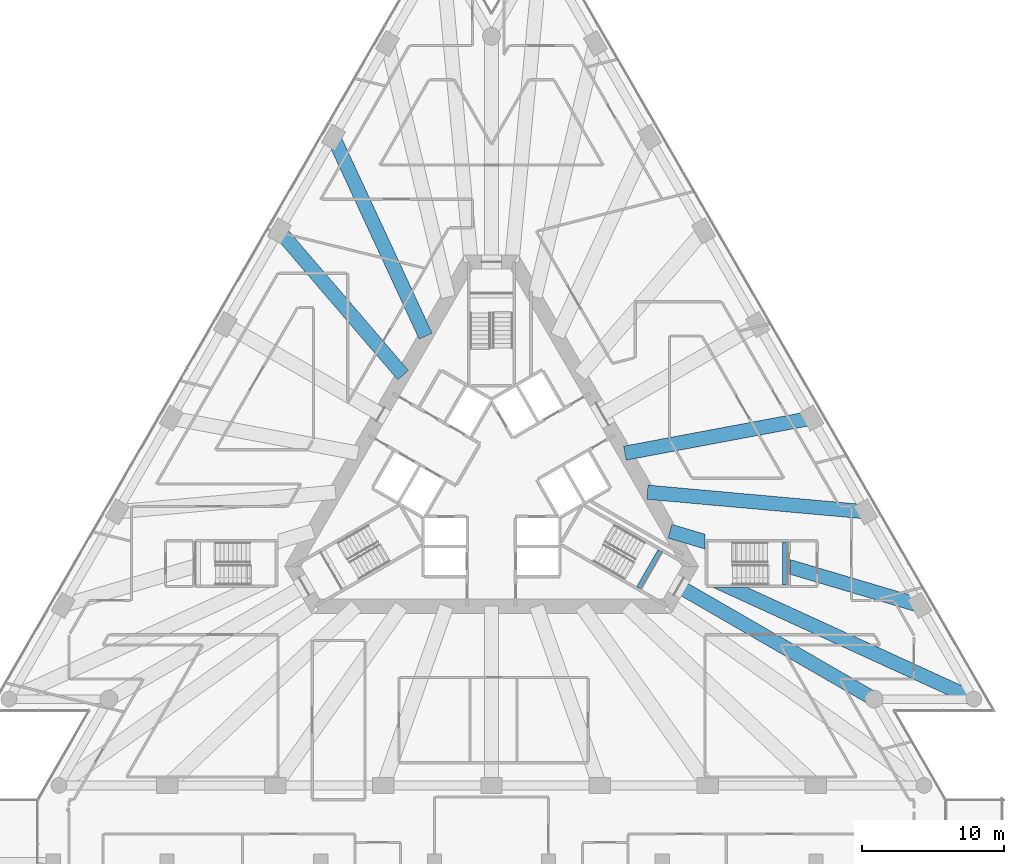
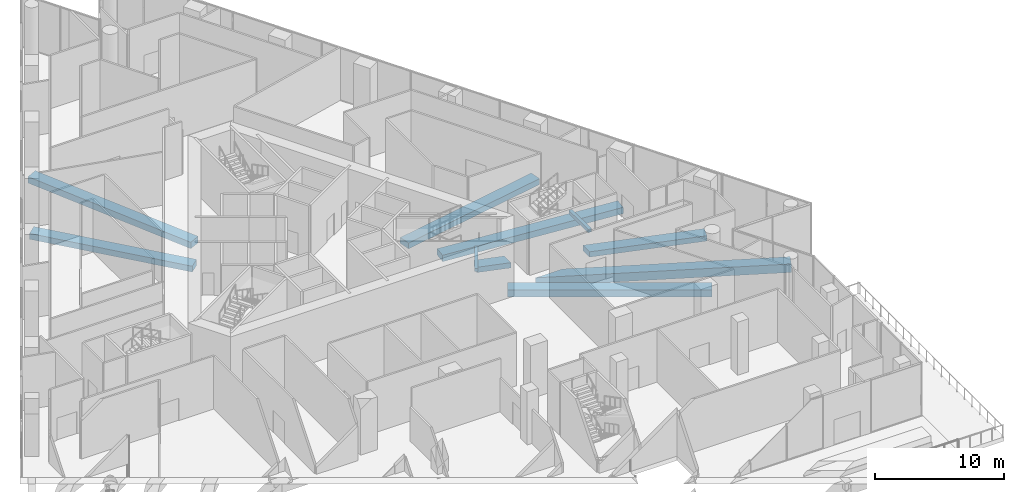
# One storey, part 11 of 32: 10 beams.
"""IFC4 building model written with IfcOpenShell, lengths in metres."""

from ifc_helpers import new_model, si_unit, direction, frame, origin, origin_2d, place, context, subcontext, project, spatial, rectangle, extrude, clip, halfspace, material, material_profile, profile_set, type_object, element, save


model = new_model("IFC4")

# Units and contexts
model_context = context("Model", 3, precision=1e-05, world=origin(), true_north=direction((0.0, 1.0)))
body_context = subcontext(model_context, "Body", "Model", "MODEL_VIEW")
ifc_project = project(units=[si_unit("LENGTHUNIT", "METRE"), si_unit("AREAUNIT", "SQUARE_METRE"), si_unit("VOLUMEUNIT", "CUBIC_METRE"), si_unit("PLANEANGLEUNIT", "RADIAN"), si_unit("MASSUNIT", "GRAM", prefix="KILO")], contexts=[model_context])

# Site, building, storey
site_placement = place(None, origin())
site = spatial("IfcSite", under=ifc_project, at=site_placement, CompositionType="ELEMENT")
building_placement = place(site_placement, origin())
building = spatial("IfcBuilding", under=site, at=building_placement, Name="Triada Interchange Tower", CompositionType="ELEMENT")
storey_placement = place(building_placement, frame((0.0, 0.0, 14.5)))
storey = spatial("IfcBuildingStorey", under=building, at=storey_placement, Name="L02", CompositionType="ELEMENT", Elevation=14.5)

# Beams
ifc_material_1 = material(Name="Concrete C35/45", Category="concrete")
ifc_material_profile_1 = material_profile(ifc_material_1, rectangle(XDim=0.300048828125, YDim=0.300048828125, at=origin_2d()), Name="RC 300x300")
ifc_profile_set_1 = profile_set([ifc_material_profile_1], Name="Concrete C35/45")
beam_type_1 = type_object("IfcBeamType", Name="Landing support beam RC 300x300", PredefinedType="BEAM", material=ifc_profile_set_1)
beam_1_placement = place(storey_placement, frame((10.3349609375, -7.698974609375, 2.191162109375), z_axis=(0.50002537861, 0.866010750942, 0.0), x_axis=(-0.866010750942, 0.50002537861, 0.0)))
element("IfcBeam", 1, at=beam_1_placement, inside=storey, type_object=beam_type_1, Name="Landing support beam S02-3 1", PredefinedType="BEAM", context=body_context, shape_type="SweptSolid", body=[
    extrude(rectangle(XDim=0.300048828125, YDim=0.300048828125, at=origin_2d()), origin(), (0.0, 0.0, 1.0), 2.999755859375),
])
beam_2_placement = place(storey_placement, frame((20.60009765625, -7.5, 2.191162109375), z_axis=(0.0, 1.0, 0.0), x_axis=(-1.0, 0.0, 0.0)))
element("IfcBeam", 2, at=beam_2_placement, inside=storey, type_object=beam_type_1, Name="Landing support beam S02-7 1", PredefinedType="BEAM", context=body_context, shape_type="SweptSolid", body=[
    extrude(rectangle(XDim=0.300048828125, YDim=0.300048828125, at=origin_2d()), origin(), (0.0, 0.0, 1.0), 3.0),
])
ifc_material_2 = material(Name="Concrete C50/60", Category="concrete")
ifc_material_profile_2 = material_profile(ifc_material_2, rectangle(XDim=1.0, YDim=0.5, at=origin_2d()), Name="RC 1000x500")
ifc_profile_set_2 = profile_set([ifc_material_profile_2], Name="Concrete C50/60")
beam_type_2 = type_object("IfcBeamType", Name="Radial band beam P RC 1000x500", PredefinedType="BEAM", material=ifc_profile_set_2)
beam_3_placement = place(storey_placement, frame((30.10498046875, -8.944091796875, -0.64990234375), z_axis=(-0.958593857604, 0.284776783049, 0.0), x_axis=(-0.284776783049, -0.958593857604, 0.0)))
element("IfcBeam", 3, at=beam_3_placement, inside=storey, type_object=beam_type_2, Name="Radial band beam BP22A L02", PredefinedType="BEAM", context=body_context, shape_type="Clipping", body=[
    clip(extrude(rectangle(XDim=1.0, YDim=0.5, at=origin_2d()), origin(), (0.0, 0.0, 1.0), 10.998291015625), halfspace(frame((-1.85888671875, -13.85009765625, 10.050537109375), z_axis=(0.284776783049, 0.0, 0.958593857604), x_axis=(0.0, -1.0, 0.0)), False)),
])
beam_4_placement = place(storey_placement, frame((16.43798828125, -4.884033203125, -0.64990234375), z_axis=(-0.95858381739, 0.284810577468, 0.0), x_axis=(-0.284810577468, -0.95858381739, 0.0)))
element("IfcBeam", 4, at=beam_4_placement, inside=storey, type_object=beam_type_2, Name="Radial band beam BP22B L02", PredefinedType="BEAM", context=body_context, shape_type="Clipping", body=[
    clip(extrude(rectangle(XDim=1.0, YDim=0.5, at=origin_2d()), origin(), (0.0, 0.0, 1.0), 4.062255859375), halfspace(frame((3.10888671875, -13.85009765625, 0.576416015625), z_axis=(-0.284810577468, 0.0, -0.95858381739), x_axis=(0.0, 1.0, 0.0)), False)),
])
ifc_material_profile_3 = material_profile(ifc_material_2, rectangle(XDim=1.0, YDim=0.550048828125, at=origin_2d()), Name="RC 1000x550")
ifc_profile_set_3 = profile_set([ifc_material_profile_3], Name="Concrete C50/60")
beam_type_3 = type_object("IfcBeamType", Name="Radial band beam P RC 1000x550", PredefinedType="BEAM", material=ifc_profile_set_3)
for number, where, z_axis, x_axis, name in (
    (5, (-14.906005859375, 17.381103515625, -0.675048828125), (0.650979511823, -0.759095300464, 0.0), (0.759095300464, 0.650979511823, 0.0), "Radial band beam BP04 L02"),
    (6, (22.506103515625, 4.218994140625, -0.675048828125), (-0.982880256044, -0.184245494596, 0.0), (0.184245494596, -0.982880256044, 0.0), "Radial band beam BP24 L02"),
):
    element("IfcBeam", number, at=place(storey_placement, frame(where, z_axis=z_axis, x_axis=x_axis)), inside=storey, type_object=beam_type_3, Name=name, PredefinedType="BEAM", context=body_context, shape_type="SweptSolid", body=[
        extrude(rectangle(XDim=1.0, YDim=0.550048828125, at=origin_2d()), origin(), (0.0, 0.0, 1.0), 13.35693359375),
    ])
ifc_material_profile_4 = material_profile(ifc_material_2, rectangle(XDim=1.0, YDim=0.60009765625, at=origin_2d()), Name="RC 1000x600")
ifc_profile_set_4 = profile_set([ifc_material_profile_4], Name="Concrete C50/60")
beam_type_4 = type_object("IfcBeamType", Name="Radial band beam P RC 1000x600", PredefinedType="BEAM", material=ifc_profile_set_4)
beam_5_placement = place(storey_placement, frame((-11.10595703125, 23.9619140625, -0.699951171875), z_axis=(0.420512879237, -0.90728656906, 0.0), x_axis=(0.90728656906, 0.420512879237, 0.0)))
element("IfcBeam", 7, at=beam_5_placement, inside=storey, type_object=beam_type_4, Name="Radial band beam BP03 L02", PredefinedType="BEAM", context=body_context, shape_type="SweptSolid", body=[
    extrude(rectangle(XDim=1.0, YDim=0.60009765625, at=origin_2d()), origin(), (0.0, 0.0, 1.0), 15.405029296875),
])
beam_6_placement = place(storey_placement, frame((26.305908203125, -2.363037109375, -0.699951171875), z_axis=(-0.995992484525, 0.089436965342, 0.0), x_axis=(-0.089436965342, -0.995992484525, 0.0)))
element("IfcBeam", 8, at=beam_6_placement, inside=storey, type_object=beam_type_4, Name="Radial band beam BP23 L02", PredefinedType="BEAM", context=body_context, shape_type="SweptSolid", body=[
    extrude(rectangle(XDim=1.0, YDim=0.60009765625, at=origin_2d()), origin(), (0.0, 0.0, 1.0), 15.40673828125),
])
ifc_material_profile_5 = material_profile(ifc_material_2, rectangle(XDim=1.0, YDim=0.64990234375, at=origin_2d()), Name="RC 1000x650")
ifc_profile_set_5 = profile_set([ifc_material_profile_5], Name="Concrete C50/60")
beam_type_5 = type_object("IfcBeamType", Name="Radial band beam P RC 1000x650", PredefinedType="BEAM", material=ifc_profile_set_5)
beam_7_placement = place(storey_placement, frame((26.889892578125, -15.52490234375, -0.72509765625), z_axis=(-0.866020130944, 0.500009132716, 0.0), x_axis=(-0.500009132716, -0.866020130944, 0.0)))
element("IfcBeam", 9, at=beam_7_placement, inside=storey, type_object=beam_type_5, Name="Radial band beam BP20 L02", PredefinedType="BEAM", context=body_context, shape_type="SweptSolid", body=[
    extrude(rectangle(XDim=1.0, YDim=0.64990234375, at=origin_2d()), origin(), (0.0, 0.0, 1.0), 15.849365234375),
])
ifc_material_profile_6 = material_profile(ifc_material_2, rectangle(XDim=1.0, YDim=0.800048828125, at=origin_2d()), Name="RC 1000x800")
ifc_profile_set_6 = profile_set([ifc_material_profile_6], Name="Concrete C50/60")
beam_type_6 = type_object("IfcBeamType", Name="Radial band beam P RC 1000x800", PredefinedType="BEAM", material=ifc_profile_set_6)
beam_8_placement = place(storey_placement, frame((33.905029296875, -15.52490234375, -0.800048828125), z_axis=(-0.909200707798, 0.41635810661, 0.0), x_axis=(-0.41635810661, -0.909200707798, 0.0)))
element("IfcBeam", 10, at=beam_8_placement, inside=storey, type_object=beam_type_6, Name="Radial band beam BP21A L02", PredefinedType="BEAM", context=body_context, shape_type="Clipping", body=[
    clip(extrude(rectangle(XDim=1.0, YDim=0.800048828125, at=origin_2d()), origin(), (0.0, 0.0, 1.0), 20.294921875), halfspace(frame((-1.741455078125, -13.699951171875, 14.9912109375), z_axis=(-0.909200707798, 0.0, 0.41635810661), x_axis=(0.0, 1.0, 0.0)), False)),
])

save(model, "model.ifc")
